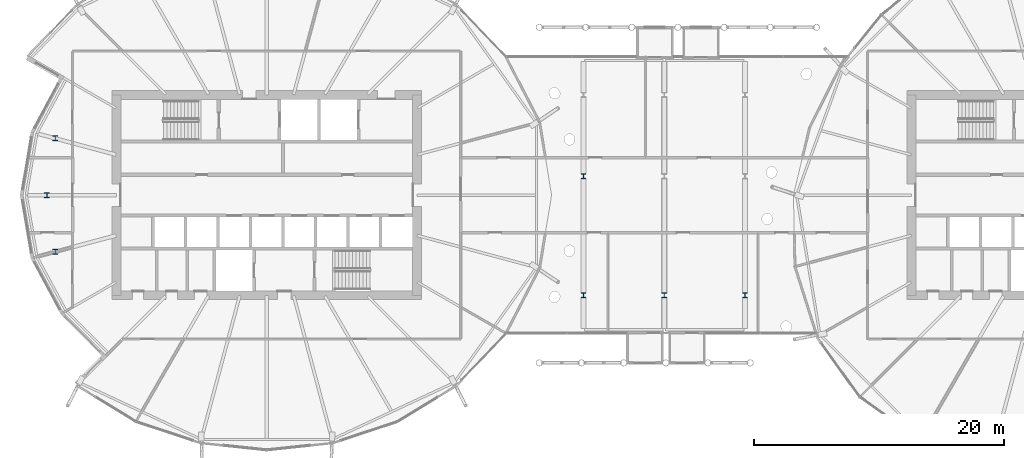
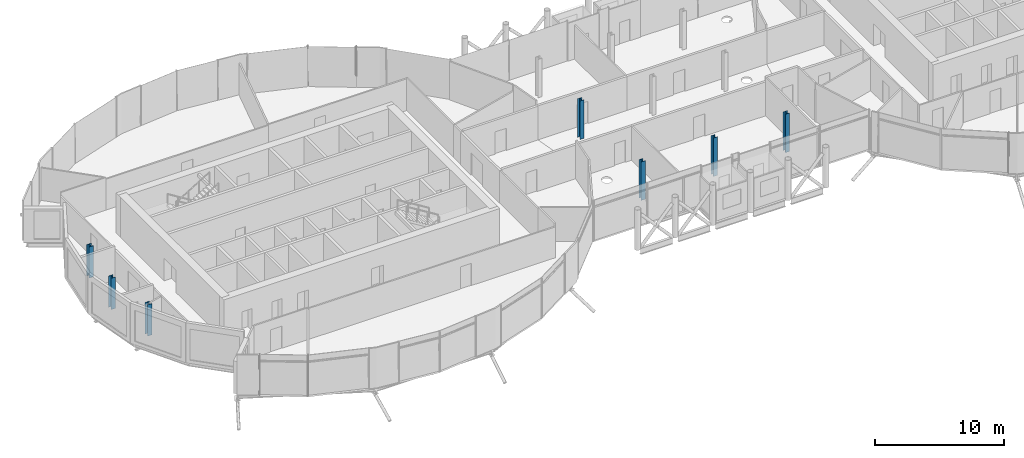
# One storey, part 1 of 40: 7 columns.
"""IFC4 building model written with IfcOpenShell, lengths in metres."""

from ifc_helpers import new_model, si_unit, direction, frame, origin, origin_2d, place, context, subcontext, project, spatial, i_section, extrude, material, material_profile, profile_set, type_object, element, save


model = new_model("IFC4")

# Units and contexts
model_context = context("Model", 3, precision=1e-05, world=origin(), true_north=direction((0.0, 1.0)))
body_context = subcontext(model_context, "Body", "Model", "MODEL_VIEW")
ifc_project = project(units=[si_unit("LENGTHUNIT", "METRE"), si_unit("AREAUNIT", "SQUARE_METRE"), si_unit("VOLUMEUNIT", "CUBIC_METRE"), si_unit("PLANEANGLEUNIT", "RADIAN"), si_unit("MASSUNIT", "GRAM", prefix="KILO")], contexts=[model_context])

# Site, building, storey
site_placement = place(None, origin())
site = spatial("IfcSite", under=ifc_project, at=site_placement, CompositionType="ELEMENT")
building_placement = place(site_placement, origin())
building = spatial("IfcBuilding", under=site, at=building_placement, Name="Rimbun Link Towers", CompositionType="ELEMENT")
storey_placement = place(building_placement, frame((0.0, 0.0, 150.60009765625)))
storey = spatial("IfcBuildingStorey", under=building, at=storey_placement, Name="L36", CompositionType="ELEMENT", Elevation=150.60009765625)

# Columns
ifc_material_1 = material(Name="Steel S355J2", Category="steel")
ifc_material_profile_1 = material_profile(ifc_material_1, i_section(OverallWidth=0.374755859375, OverallDepth=0.37451171875, WebThickness=0.0166015625, FlangeThickness=0.027099609375, at=origin_2d()), Name="UKC 356x368x202")
ifc_profile_set_1 = profile_set([ifc_material_profile_1], Name="Steel S355J2")
column_type_1 = type_object("IfcColumnType", Name="Link column UKC 356x368x202", PredefinedType="COLUMN", material=ifc_profile_set_1)
for number, where, z_axis, x_axis, name in (
    (1, (-6.449951171875, -8.0, 0.0), (0.0, 0.0, 1.0), (1.0, 0.0, 0.0), "Link column L36 1-1"),
    (2, (-6.449951171875, 1.5, 0.0), (0.0, 0.0, 1.0), (1.0, 0.0, 0.0), "Link column L36 2-1"),
    (3, (0.0, -8.0, 0.0), (0.0, 0.0, 1.0), (1.0, 0.0, 0.0), "Link column L36 1-2"),
    (4, (6.449951171875, -8.0, 0.0), (0.0, 0.0, 1.0), (1.0, 0.0, 0.0), "Link column L36 1-3"),
):
    element("IfcColumn", number, at=place(storey_placement, frame(where, z_axis=z_axis, x_axis=x_axis)), inside=storey, type_object=column_type_1, Name=name, PredefinedType="COLUMN", context=body_context, shape_type="SweptSolid", body=[
        extrude(i_section(OverallWidth=0.374755859375, OverallDepth=0.37451171875, WebThickness=0.0166015625, FlangeThickness=0.027099609375, at=origin_2d()), origin(), (0.0, 0.0, 1.0), 3.639892578125),
    ])
ifc_material_2 = material(Name="Steel S355J2", Category="steel")
ifc_material_profile_2 = material_profile(ifc_material_2, i_section(OverallWidth=0.39892578125, OverallDepth=0.3935546875, WebThickness=0.022705078125, FlangeThickness=0.03662109375, at=origin_2d()), Name="UC 356x406x287")
ifc_profile_set_2 = profile_set([ifc_material_profile_2], Name="Steel S355J2")
column_type_2 = type_object("IfcColumnType", Name="UC 356x406x287", PredefinedType="COLUMN", material=ifc_profile_set_2)
for number, where, z_axis, x_axis, name in (
    (5, (-48.638916015625, 4.525390625, -0.18017578125), (0.0, 0.0, 1.0), (1.0, 0.0, 0.0), "Crease post T1 L36 11"),
    (6, (-49.298095703125, 0.0, -0.18017578125), (0.0, 0.0, 1.0), (1.0, 0.0, 0.0), "Crease post T1 L36 12"),
    (7, (-48.638916015625, -4.525390625, -0.18017578125), (0.0, 0.0, 1.0), (1.0, 0.0, 0.0), "Crease post T1 L36 13"),
):
    element("IfcColumn", number, at=place(storey_placement, frame(where, z_axis=z_axis, x_axis=x_axis)), inside=storey, type_object=column_type_2, Name=name, PredefinedType="COLUMN", context=body_context, shape_type="SweptSolid", body=[
        extrude(i_section(OverallWidth=0.39892578125, OverallDepth=0.3935546875, WebThickness=0.022705078125, FlangeThickness=0.03662109375, at=origin_2d()), origin(), (0.0, 0.0, 1.0), 2.95947265625),
    ])

save(model, "model.ifc")
